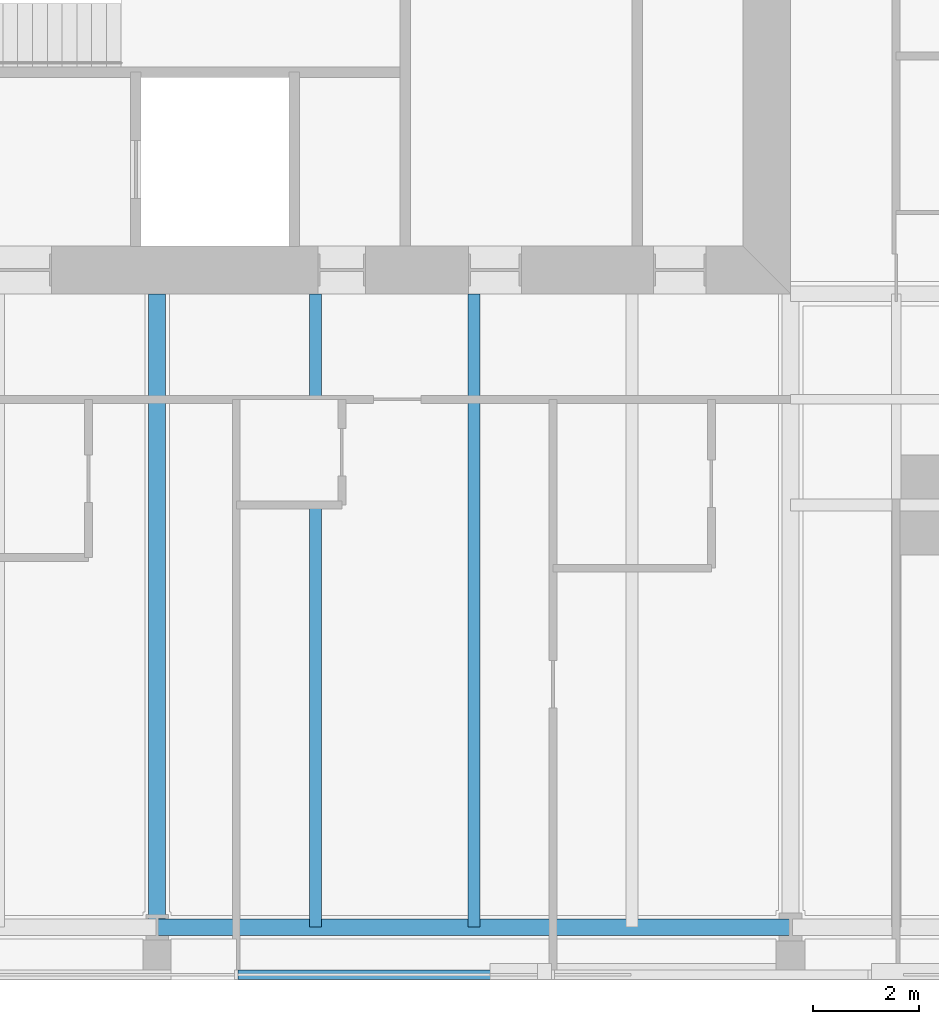
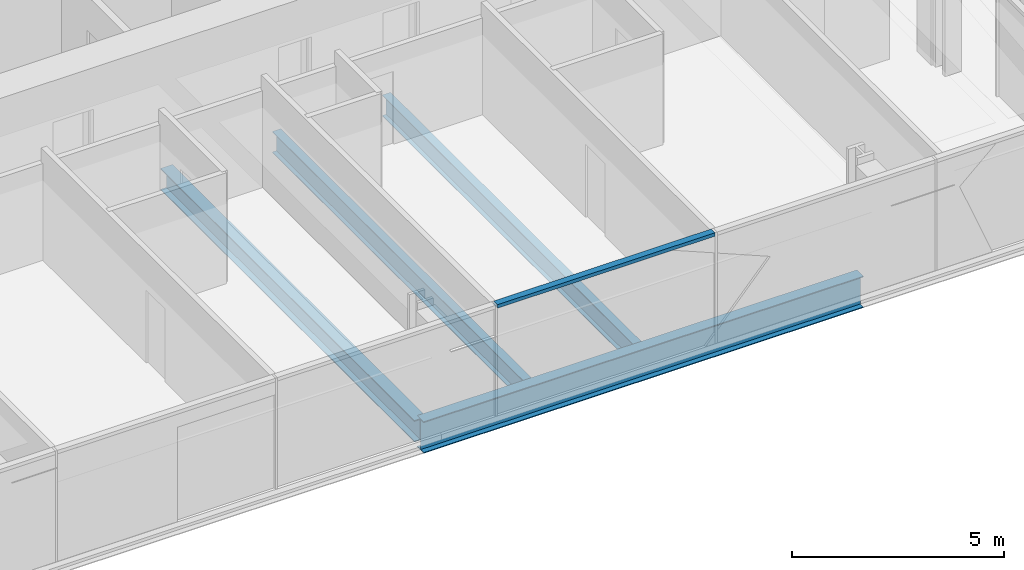
# One storey, part 3 of 18: 4 beams, 1 member, 1 element without a shape of its own.
"""IFC4 building model written with IfcOpenShell, lengths in metres."""

from ifc_helpers import new_model, si_unit, direction, frame, origin, origin_2d, place, context, subcontext, project, spatial, rectangle, i_section, extrude, material, material_profile, profile_set, type_object, element, aggregate, save


model = new_model("IFC4")

# Units and contexts
model_context = context("Model", 3, precision=1e-05, world=origin(), true_north=direction((0.0, 1.0)))
body_context = subcontext(model_context, "Body", "Model", "MODEL_VIEW")
ifc_project = project(units=[si_unit("LENGTHUNIT", "METRE"), si_unit("AREAUNIT", "SQUARE_METRE"), si_unit("VOLUMEUNIT", "CUBIC_METRE"), si_unit("PLANEANGLEUNIT", "RADIAN"), si_unit("MASSUNIT", "GRAM", prefix="KILO")], contexts=[model_context])

# Site, building, storey
site_placement = place(None, origin())
site = spatial("IfcSite", under=ifc_project, at=site_placement, CompositionType="ELEMENT")
building_placement = place(site_placement, origin())
building = spatial("IfcBuilding", under=site, at=building_placement, Name="Fenwick Lantern Interchange", CompositionType="ELEMENT")
storey_placement = place(building_placement, frame((0.0, 0.0, 293.39990234375)))
storey = spatial("IfcBuildingStorey", under=building, at=storey_placement, Name="L71", CompositionType="ELEMENT", Elevation=293.39990234375)

# Beams
ifc_material_1 = material(Name="Steel ASTM A992 Grade 50", Category="steel")
ifc_material_profile_1 = material_profile(ifc_material_1, i_section(OverallWidth=0.3046875, OverallDepth=0.911865234375, WebThickness=0.015869140625, FlangeThickness=0.02392578125, at=origin_2d()), Name="W36X150")
ifc_profile_set_1 = profile_set([ifc_material_profile_1], Name="Steel ASTM A992 Grade 50")
beam_type_1 = type_object("IfcBeamType", Name="EDGE BEAM W36X150", PredefinedType="SPANDREL", material=ifc_profile_set_1)
beam_1_placement = place(storey_placement, frame((25.0, 1.0, -0.605712890625), z_axis=(1.0, 0.0, 0.0), x_axis=(0.0, 1.0, 0.0)))
element("IfcBeam", 1, at=beam_1_placement, inside=storey, type_object=beam_type_1, Name="L71/FR/S/EB3", PredefinedType="SPANDREL", context=body_context, shape_type="SweptSolid", body=[
    extrude(i_section(OverallWidth=0.3046875, OverallDepth=0.911865234375, WebThickness=0.015869140625, FlangeThickness=0.02392578125, at=origin_2d()), origin(), (0.0, 0.0, 1.0), 12.0),
])
ifc_material_profile_2 = material_profile(ifc_material_1, i_section(OverallWidth=0.22900390625, OverallDepth=0.612060546875, WebThickness=0.011962890625, FlangeThickness=0.01953125, at=origin_2d()), Name="W24X84")
ifc_profile_set_2 = profile_set([ifc_material_profile_2], Name="Steel ASTM A992 Grade 50")
beam_type_2 = type_object("IfcBeamType", Name="FLOOR BEAM W24X84", PredefinedType="BEAM", material=ifc_profile_set_2)
for number, where, z_axis, x_axis, name in (
    (2, (28.0, 1.0, -0.4560546875), (0.0, 1.0, 0.0), (-1.0, 0.0, 0.0), "L71/FR/S/R06"),
    (3, (31.0, 1.0, -0.4560546875), (0.0, 1.0, 0.0), (-1.0, 0.0, 0.0), "L71/FR/S/R07"),
):
    element("IfcBeam", number, at=place(storey_placement, frame(where, z_axis=z_axis, x_axis=x_axis)), inside=storey, type_object=beam_type_2, Name=name, PredefinedType="BEAM", context=body_context, shape_type="SweptSolid", body=[
        extrude(i_section(OverallWidth=0.22900390625, OverallDepth=0.612060546875, WebThickness=0.011962890625, FlangeThickness=0.01953125, at=origin_2d()), origin(), (0.0, 0.0, 1.0), 12.0),
    ])

# Curtain wall, member
ifc_material_2 = material(Name="Aluminium curtain wall frame", Category="aluminium")
curtain_wall_type = type_object("IfcCurtainWallType", Name="HOTEL CURTAIN WALL", PredefinedType="USERDEFINED", material=ifc_material_2)
curtain_wall_placement = place(storey_placement, origin())
curtain_wall = element("IfcCurtainWall", 4, at=curtain_wall_placement, inside=storey, type_object=curtain_wall_type, Name="Hotel curtain wall 01", ObjectType="HOTEL CURTAIN WALL", PredefinedType="USERDEFINED")
ifc_material_3 = material(Name="Aluminium extrusion", Category="aluminium")
ifc_material_profile_3 = material_profile(ifc_material_3, rectangle(XDim=0.179931640625, YDim=0.10009765625, at=origin_2d()), Name="HOTEL CURTAIN WALL TRANSOM 100 X 180")
ifc_profile_set_3 = profile_set([ifc_material_profile_3], Name="Aluminium extrusion")
member_type = type_object("IfcMemberType", Name="HOTEL CURTAIN WALL TRANSOM 100 X 180", PredefinedType="MULLION", material=ifc_profile_set_3)
member_placement = place(storey_placement, frame((26.530029296875, 0.10009765625, 3.150146484375), z_axis=(1.0, 0.0, 0.0), x_axis=(0.0, 1.0, 0.0)))
member = element("IfcMember", 5, at=member_placement, type_object=member_type, Name="L71/CW/01/T04", PredefinedType="MULLION", context=body_context, shape_type="SweptSolid", body=[
    extrude(rectangle(XDim=0.179931640625, YDim=0.10009765625, at=origin_2d()), origin(), (0.0, 0.0, 1.0), 5.93994140625),
])
aggregate(curtain_wall, [member])

# Beam
ifc_material_profile_4 = material_profile(ifc_material_1, i_section(OverallWidth=0.32763671875, OverallDepth=0.622314453125, WebThickness=0.015380859375, FlangeThickness=0.0244140625, at=origin_2d()), Name="W24X131")
ifc_profile_set_4 = profile_set([ifc_material_profile_4], Name="Steel ASTM A992 Grade 50")
beam_type_3 = type_object("IfcBeamType", Name="MOMENT-CONNECTED GIRDER W24X131", PredefinedType="BEAM", material=ifc_profile_set_4)
beam_2_placement = place(storey_placement, frame((25.0, 1.0, -0.4609375), z_axis=(0.0, 1.0, 0.0), x_axis=(-1.0, 0.0, 0.0)))
element("IfcBeam", 6, at=beam_2_placement, inside=storey, type_object=beam_type_3, Name="L71/FR/S/R05", PredefinedType="BEAM", context=body_context, shape_type="SweptSolid", body=[
    extrude(i_section(OverallWidth=0.32763671875, OverallDepth=0.622314453125, WebThickness=0.015380859375, FlangeThickness=0.0244140625, at=origin_2d()), origin(), (0.0, 0.0, 1.0), 12.0),
])

save(model, "model.ifc")
